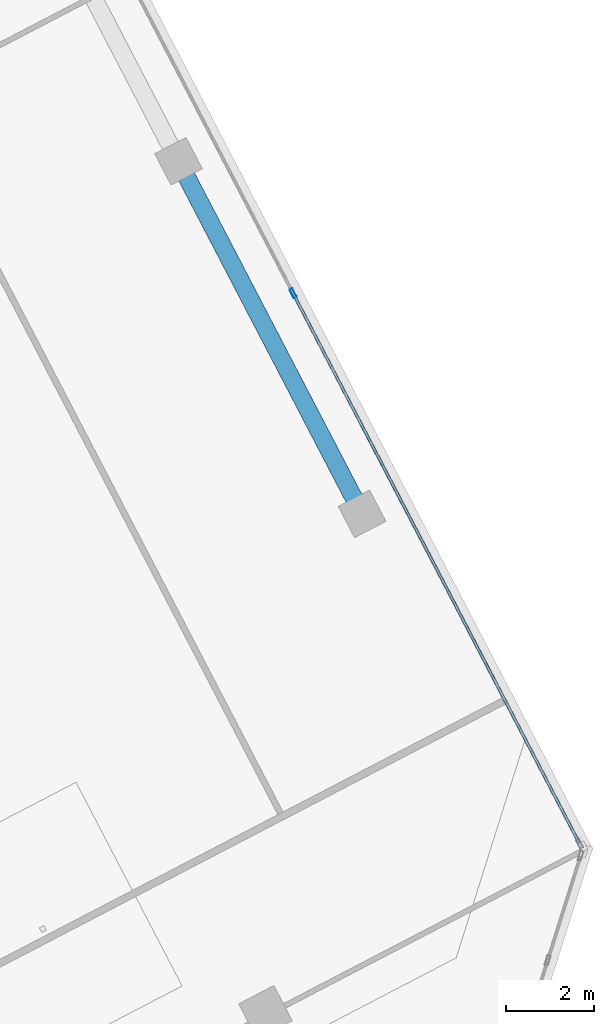
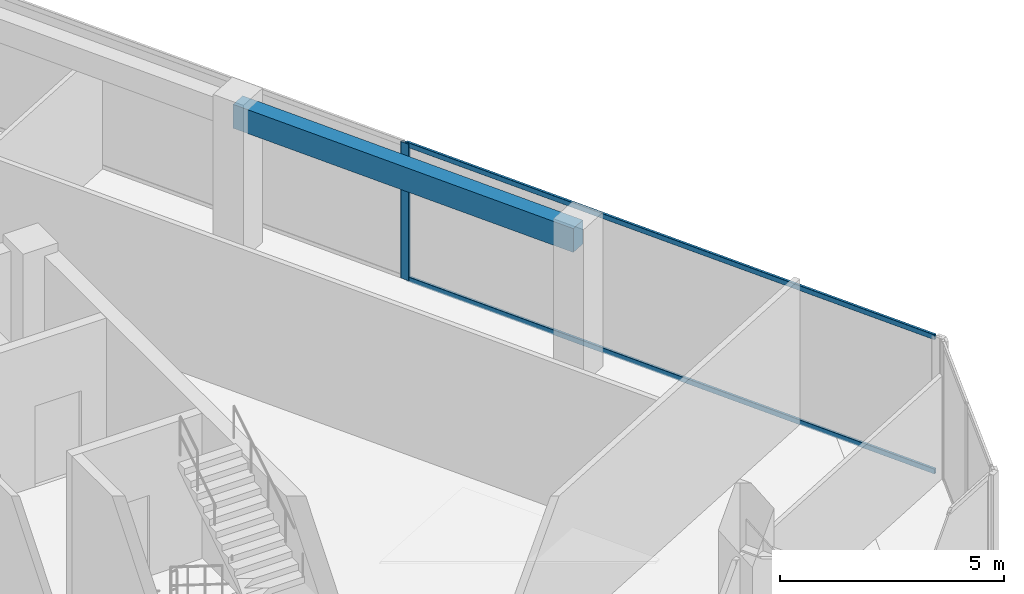
# One storey, part 7 of 16: 3 members, 1 beam, 1 element without a shape of its own.
"""IFC4 building model written with IfcOpenShell, lengths in metres."""

from ifc_helpers import new_model, si_unit, direction, frame, origin, origin_2d, place, context, subcontext, project, spatial, rectangle, hollow_rectangle, extrude, source, transform, mapped, material, material_profile, profile_set, type_object, element, aggregate, save


model = new_model("IFC4")

# Units and contexts
model_context = context("Model", 3, precision=1e-05, world=origin(), true_north=direction((0.0, 1.0)))
body_context = subcontext(model_context, "Body", "Model", "MODEL_VIEW")
ifc_project = project(units=[si_unit("LENGTHUNIT", "METRE"), si_unit("AREAUNIT", "SQUARE_METRE"), si_unit("VOLUMEUNIT", "CUBIC_METRE"), si_unit("PLANEANGLEUNIT", "RADIAN"), si_unit("MASSUNIT", "GRAM", prefix="KILO")], contexts=[model_context])

# Site, building, storey
site_placement = place(None, origin())
site = spatial("IfcSite", under=ifc_project, at=site_placement, CompositionType="ELEMENT")
building_placement = place(site_placement, origin())
building = spatial("IfcBuilding", under=site, at=building_placement, Name="Torre Montelarca", CompositionType="ELEMENT")
storey_placement = place(building_placement, frame((0.0, 0.0, 328.199951171875)))
storey = spatial("IfcBuildingStorey", under=building, at=storey_placement, Name="L74", CompositionType="ELEMENT", Elevation=328.199951171875)

# Beam
ifc_material_1 = material(Name="Concrete C40/50", Category="concrete")
ifc_material_profile_1 = material_profile(ifc_material_1, rectangle(XDim=0.39990234375, YDim=0.64990234375, at=origin_2d()), Name="RCB400X650", Category="concrete")
ifc_profile_set_1 = profile_set([ifc_material_profile_1], Name="Concrete C40/50")
beam_type = type_object("IfcBeamType", Name="BM-SP-RC650-EXT", PredefinedType="SPANDREL", material=ifc_profile_set_1)
shared_shape_1 = source(origin(), body_context, "Body", "SweptSolid", [
    extrude(rectangle(XDim=0.39990234375, YDim=0.64990234375, at=origin_2d()), origin(), (0.0, 0.0, 1.0), 9.0),
])
beam_placement = place(storey_placement, frame((33.322021484375, 42.10009765625, 3.635009765625), z_axis=(0.461748143991, -0.887011077451, 0.0), x_axis=(0.887011077451, 0.461748143991, 0.0)))
element("IfcBeam", 1, at=beam_placement, inside=storey, type_object=beam_type, Name="L74 Grid Girder X 18.0-27.0 at Y=47.1", PredefinedType="SPANDREL", context=body_context, shape_type="MappedRepresentation", body=[
    mapped(shared_shape_1, transform((0.0, 0.0, 0.0), scale=1.0)),
])

# Curtain wall, members
ifc_material_2 = material(Name="Insulated low-E laminated glass", Category="glass")
curtain_wall_type = type_object("IfcCurtainWallType", Name="CW-SYS-Z4", PredefinedType="USERDEFINED", material=ifc_material_2)
curtain_wall_placement = place(storey_placement, origin())
curtain_wall = element("IfcCurtainWall", 2, at=curtain_wall_placement, inside=storey, type_object=curtain_wall_type, Name="L74 Curtain Wall Run CW-T3-L74-E08-B1", ObjectType="UNITISED GLAZING", PredefinedType="USERDEFINED")
ifc_material_3 = material(Name="Anodised aluminium AA 6063-T6", Category="aluminium")
ifc_material_profile_2 = material_profile(ifc_material_3, hollow_rectangle(XDim=0.074951171875, YDim=0.219970703125, WallThickness=0.0048828125, InnerFilletRadius=0.0048828125, OuterFilletRadius=0.010009765625, at=origin_2d()), Name="ALU75X220X5", Category="aluminium")
ifc_profile_set_2 = profile_set([ifc_material_profile_2], Name="Anodised aluminium AA 6063-T6")
member_type_1 = type_object("IfcMemberType", Name="CWM-ALU220", PredefinedType="MULLION", material=ifc_profile_set_2)
shared_shape_2 = source(origin(), body_context, "Body", "SweptSolid", [
    extrude(hollow_rectangle(XDim=0.074951171875, YDim=0.219970703125, WallThickness=0.0048828125, InnerFilletRadius=0.0048828125, OuterFilletRadius=0.010009765625, at=origin_2d()), origin(), (0.0, 0.0, 1.0), 3.719970703125),
])
member_1_placement = place(storey_placement, frame((35.916015625, 39.10986328125, 0.0), z_axis=(0.0, 0.0, 1.0), x_axis=(-0.887012754742, -0.461744921926, 0.0)))
member_1 = element("IfcMember", 3, at=member_1_placement, type_object=member_type_1, Name="CW mullion 2", PredefinedType="MULLION", context=body_context, shape_type="MappedRepresentation", body=[
    mapped(shared_shape_2, transform((0.0, 0.0, 0.0), scale=1.0)),
])
ifc_material_profile_3 = material_profile(ifc_material_3, hollow_rectangle(XDim=0.06494140625, YDim=0.139892578125, WallThickness=0.00390625, InnerFilletRadius=0.00390625, OuterFilletRadius=0.008056640625, at=origin_2d()), Name="ALU65X140X4", Category="aluminium")
ifc_profile_set_3 = profile_set([ifc_material_profile_3], Name="Anodised aluminium AA 6063-T6")
member_type_2 = type_object("IfcMemberType", Name="CWT-ALU140", PredefinedType="USERDEFINED", material=ifc_profile_set_3)
shared_shape_3 = source(origin(), body_context, "Body", "SweptSolid", [
    extrude(hollow_rectangle(XDim=0.06494140625, YDim=0.139892578125, WallThickness=0.00390625, InnerFilletRadius=0.00390625, OuterFilletRadius=0.008056640625, at=origin_2d()), origin(), (0.0, 0.0, 1.0), 13.9716796875),
])
member_2_placement = place(storey_placement, frame((42.384521484375, 26.68359375, 0.032470703125), z_axis=(-0.461748274751, 0.887011009382, 0.0), x_axis=(-0.887011009382, -0.461748274751, 0.0)))
member_2 = element("IfcMember", 4, at=member_2_placement, type_object=member_type_2, Name="CW transom 1.1", ObjectType="TRANSOM", PredefinedType="USERDEFINED", context=body_context, shape_type="MappedRepresentation", body=[
    mapped(shared_shape_3, transform((0.0, 0.0, 0.0), scale=1.0)),
])
member_3_placement = place(storey_placement, frame((42.384521484375, 26.68359375, 3.6875), z_axis=(-0.461748274751, 0.887011009382, 0.0), x_axis=(-0.887011009382, -0.461748274751, 0.0)))
member_3 = element("IfcMember", 5, at=member_3_placement, type_object=member_type_2, Name="CW transom 1.2", ObjectType="TRANSOM", PredefinedType="USERDEFINED", context=body_context, shape_type="MappedRepresentation", body=[
    mapped(shared_shape_3, transform((0.0, 0.0, 0.0), scale=1.0)),
])
aggregate(curtain_wall, [member_1, member_2, member_3])

save(model, "model.ifc")
